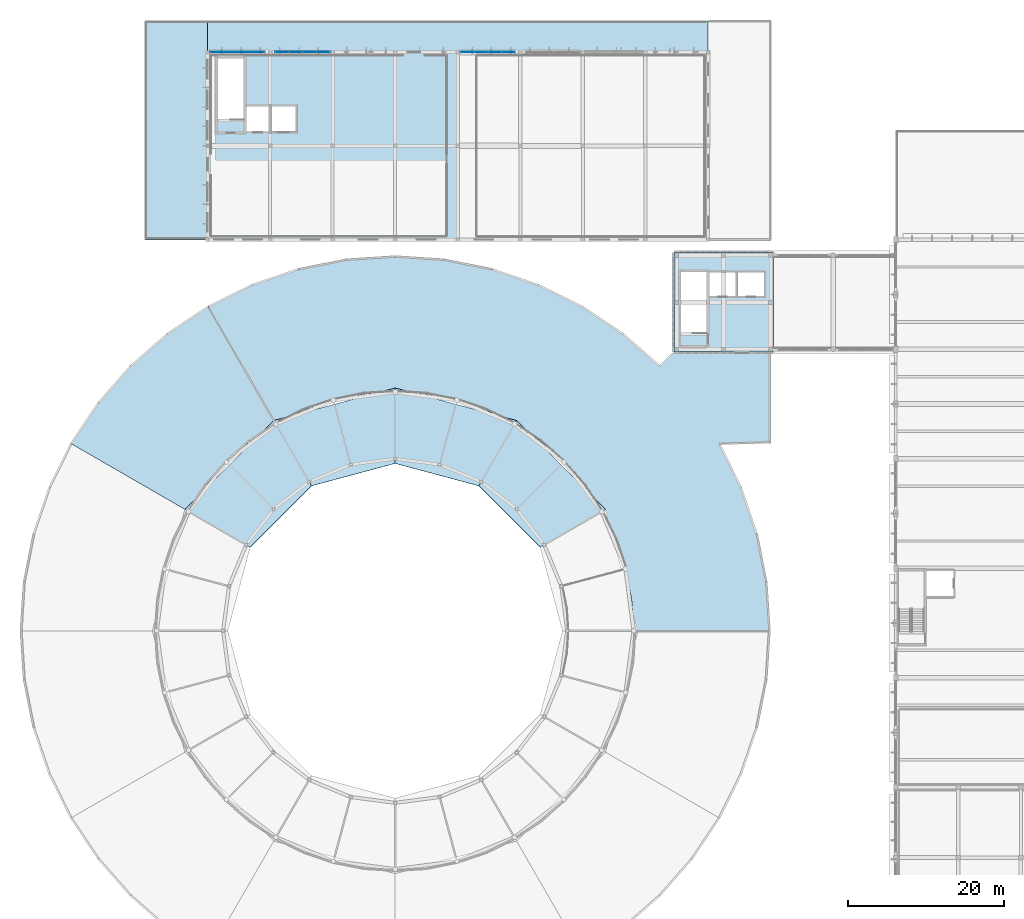
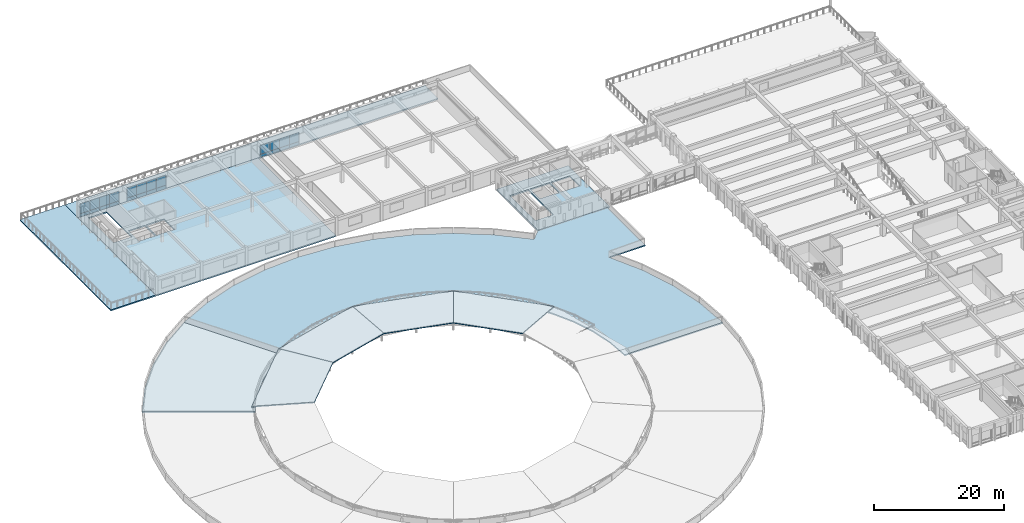
# One storey, part 47 of 77: 24 plates, 10 slabs, 6 elements without a shape of their own.
"""IFC4 building model written with IfcOpenShell, lengths in metres."""

from ifc_helpers import new_model, si_unit, direction, frame, origin, origin_2d, place, context, subcontext, project, spatial, polyline, rectangle, outline, extrude, material, layer, layer_set, type_object, element, aggregate, save


model = new_model("IFC4")

# Units and contexts
model_context = context("Model", 3, precision=1e-05, world=origin(), true_north=direction((0.0, 1.0)))
body_context = subcontext(model_context, "Body", "Model", "MODEL_VIEW")
ifc_project = project(units=[si_unit("LENGTHUNIT", "METRE"), si_unit("AREAUNIT", "SQUARE_METRE"), si_unit("VOLUMEUNIT", "CUBIC_METRE"), si_unit("PLANEANGLEUNIT", "RADIAN"), si_unit("MASSUNIT", "GRAM", prefix="KILO")], contexts=[model_context])

# Site, building, storey
site_placement = place(None, origin())
site = spatial("IfcSite", under=ifc_project, at=site_placement, CompositionType="ELEMENT")
building_placement = place(site_placement, origin())
building = spatial("IfcBuilding", under=site, at=building_placement, Name="Larkveld Mobility Hub", CompositionType="ELEMENT")
storey_placement = place(building_placement, frame((0.0, 0.0, 12.0)))
storey = spatial("IfcBuildingStorey", under=building, at=storey_placement, Name="L03", CompositionType="ELEMENT", Elevation=12.0)

# Curtain wall, plates
ifc_material_1 = material(Name="Anodised aluminium 6063-T6", Category="aluminium")
curtain_wall_type_1 = type_object("IfcCurtainWallType", Name="CW-SYS-04", PredefinedType="NOTDEFINED", material=ifc_material_1)
curtain_wall_1_placement = place(storey_placement, origin())
curtain_wall_1 = element("IfcCurtainWall", 1, at=curtain_wall_1_placement, inside=storey, type_object=curtain_wall_type_1, Name="Bicycle Hall North Curtain Wall L03 CW-088", PredefinedType="NOTDEFINED")
ifc_material_2 = material(Name="Low-E laminated solar-control double glazing", Category="glass")
ifc_layer_1 = layer(ifc_material_2, 0.028076171875, Name="Low-E laminated solar-control double glazing", Category="glass")
ifc_layer_set_1 = layer_set([ifc_layer_1], Name="Low-E laminated solar-control double glazing")
plate_type_1 = type_object("IfcPlateType", Name="CW-PNL-GL01", PredefinedType="CURTAIN_PANEL", material=ifc_layer_set_1)
plate_1_placement = place(storey_placement, frame((30.451904296875, 122.0, 0.614013671875), z_axis=(0.0, 0.0, 1.0), x_axis=(-1.0, 0.0, 0.0)))
plate_1 = element("IfcPlate", 2, at=plate_1_placement, type_object=plate_type_1, Name="CW04 panel 1", PredefinedType="CURTAIN_PANEL", context=body_context, shape_type="SweptSolid", body=[
    extrude(rectangle(XDim=1.716064453125, YDim=0.028076171875, at=origin_2d()), origin(), (0.0, 0.0, 1.0), 1.81396484375),
])
plate_2_placement = place(storey_placement, frame((28.716064453125, 122.0, 0.614013671875), z_axis=(0.0, 0.0, 1.0), x_axis=(-1.0, 0.0, 0.0)))
plate_2 = element("IfcPlate", 3, at=plate_2_placement, type_object=plate_type_1, Name="CW04 panel 2", PredefinedType="CURTAIN_PANEL", context=body_context, shape_type="SweptSolid", body=[
    extrude(rectangle(XDim=1.736083984375, YDim=0.028076171875, at=origin_2d()), origin(), (0.0, 0.0, 1.0), 1.81396484375),
])
plate_3_placement = place(storey_placement, frame((26.969970703125, 122.0, 0.614013671875), z_axis=(0.0, 0.0, 1.0), x_axis=(-1.0, 0.0, 0.0)))
plate_3 = element("IfcPlate", 4, at=plate_3_placement, type_object=plate_type_1, Name="CW04 panel 3", PredefinedType="CURTAIN_PANEL", context=body_context, shape_type="SweptSolid", body=[
    extrude(rectangle(XDim=1.736083984375, YDim=0.028076171875, at=origin_2d()), origin(), (0.0, 0.0, 1.0), 1.81396484375),
])
plate_4_placement = place(storey_placement, frame((25.23291015625, 122.0, 0.614013671875), z_axis=(0.0, 0.0, 1.0), x_axis=(-1.0, 0.0, 0.0)))
plate_4 = element("IfcPlate", 5, at=plate_4_placement, type_object=plate_type_1, Name="CW04 panel 4", PredefinedType="CURTAIN_PANEL", context=body_context, shape_type="SweptSolid", body=[
    extrude(rectangle(XDim=1.716064453125, YDim=0.028076171875, at=origin_2d()), origin(), (0.0, 0.0, 1.0), 1.81396484375),
])

curtain_wall_type_2 = type_object("IfcCurtainWallType", Name="CW-SYS-03", PredefinedType="NOTDEFINED", material=ifc_material_1)
curtain_wall_2_placement = place(storey_placement, origin())
curtain_wall_2 = element("IfcCurtainWall", 6, at=curtain_wall_2_placement, inside=storey, type_object=curtain_wall_type_2, Name="Bicycle Hall North Curtain Wall L03 CW-087", PredefinedType="NOTDEFINED")
ifc_material_3 = material(Name="Tinted safety double glazing", Category="glass")
ifc_layer_2 = layer(ifc_material_3, 0.035888671875, Name="Tinted safety double glazing", Category="glass")
ifc_layer_set_2 = layer_set([ifc_layer_2], Name="Tinted safety double glazing")
plate_type_2 = type_object("IfcPlateType", Name="CW-PNL-GL03", PredefinedType="CURTAIN_PANEL", material=ifc_layer_set_2)
plate_5_placement = place(storey_placement, frame((38.76708984375, 122.0, 0.64013671875), z_axis=(0.0, 0.0, 1.0), x_axis=(-1.0, 0.0, 0.0)))
plate_5 = element("IfcPlate", 7, at=plate_5_placement, type_object=plate_type_2, Name="CW03 panel 1", PredefinedType="CURTAIN_PANEL", context=body_context, shape_type="SweptSolid", body=[
    extrude(rectangle(XDim=1.716064453125, YDim=0.035888671875, at=origin_2d()), origin(), (0.0, 0.0, 1.0), 1.887939453125),
])
plate_6_placement = place(storey_placement, frame((37.031005859375, 122.0, 0.64013671875), z_axis=(0.0, 0.0, 1.0), x_axis=(-1.0, 0.0, 0.0)))
plate_6 = element("IfcPlate", 8, at=plate_6_placement, type_object=plate_type_2, Name="CW03 panel 2", PredefinedType="CURTAIN_PANEL", context=body_context, shape_type="SweptSolid", body=[
    extrude(rectangle(XDim=1.736083984375, YDim=0.035888671875, at=origin_2d()), origin(), (0.0, 0.0, 1.0), 1.887939453125),
])
plate_7_placement = place(storey_placement, frame((35.283935546875, 122.0, 0.64013671875), z_axis=(0.0, 0.0, 1.0), x_axis=(-1.0, 0.0, 0.0)))
plate_7 = element("IfcPlate", 9, at=plate_7_placement, type_object=plate_type_2, Name="CW03 panel 3", PredefinedType="CURTAIN_PANEL", context=body_context, shape_type="SweptSolid", body=[
    extrude(rectangle(XDim=1.736083984375, YDim=0.035888671875, at=origin_2d()), origin(), (0.0, 0.0, 1.0), 1.887939453125),
])
plate_8_placement = place(storey_placement, frame((33.548095703125, 122.0, 0.64013671875), z_axis=(0.0, 0.0, 1.0), x_axis=(-1.0, 0.0, 0.0)))
plate_8 = element("IfcPlate", 10, at=plate_8_placement, type_object=plate_type_2, Name="CW03 panel 4", PredefinedType="CURTAIN_PANEL", context=body_context, shape_type="SweptSolid", body=[
    extrude(rectangle(XDim=1.716064453125, YDim=0.035888671875, at=origin_2d()), origin(), (0.0, 0.0, 1.0), 1.887939453125),
])

curtain_wall_type_3 = type_object("IfcCurtainWallType", Name="CW-SYS-06", PredefinedType="NOTDEFINED", material=ifc_material_1)
curtain_wall_3_placement = place(storey_placement, origin())
curtain_wall_3 = element("IfcCurtainWall", 11, at=curtain_wall_3_placement, inside=storey, type_object=curtain_wall_type_3, Name="Bicycle Hall North Curtain Wall L03 CW-090", PredefinedType="NOTDEFINED")
plate_9_placement = place(storey_placement, frame((62.451904296875, 122.0, 0.564453125), z_axis=(0.0, 0.0, 1.0), x_axis=(-1.0, 0.0, 0.0)))
plate_9 = element("IfcPlate", 12, at=plate_9_placement, type_object=plate_type_2, Name="CW06 panel 1", PredefinedType="CURTAIN_PANEL", context=body_context, shape_type="SweptSolid", body=[
    extrude(rectangle(XDim=1.716064453125, YDim=0.035888671875, at=origin_2d()), origin(), (0.0, 0.0, 1.0), 1.6630859375),
])
plate_10_placement = place(storey_placement, frame((60.716064453125, 122.0, 0.564453125), z_axis=(0.0, 0.0, 1.0), x_axis=(-1.0, 0.0, 0.0)))
plate_10 = element("IfcPlate", 13, at=plate_10_placement, type_object=plate_type_2, Name="CW06 panel 2", PredefinedType="CURTAIN_PANEL", context=body_context, shape_type="SweptSolid", body=[
    extrude(rectangle(XDim=1.736083984375, YDim=0.035888671875, at=origin_2d()), origin(), (0.0, 0.0, 1.0), 1.6630859375),
])
plate_11_placement = place(storey_placement, frame((58.968994140625, 122.0, 0.564453125), z_axis=(0.0, 0.0, 1.0), x_axis=(-1.0, 0.0, 0.0)))
plate_11 = element("IfcPlate", 14, at=plate_11_placement, type_object=plate_type_2, Name="CW06 panel 3", PredefinedType="CURTAIN_PANEL", context=body_context, shape_type="SweptSolid", body=[
    extrude(rectangle(XDim=1.736083984375, YDim=0.035888671875, at=origin_2d()), origin(), (0.0, 0.0, 1.0), 1.6630859375),
])
plate_12_placement = place(storey_placement, frame((57.23291015625, 122.0, 0.564453125), z_axis=(0.0, 0.0, 1.0), x_axis=(-1.0, 0.0, 0.0)))
plate_12 = element("IfcPlate", 15, at=plate_12_placement, type_object=plate_type_2, Name="CW06 panel 4", PredefinedType="CURTAIN_PANEL", context=body_context, shape_type="SweptSolid", body=[
    extrude(rectangle(XDim=1.716064453125, YDim=0.035888671875, at=origin_2d()), origin(), (0.0, 0.0, 1.0), 1.6630859375),
])

# Plate
ifc_material_4 = material(Name="Insulated fluoropolymer aluminium spandrel", Category="aluminium")
ifc_layer_3 = layer(ifc_material_4, 0.06494140625, Name="Insulated fluoropolymer aluminium spandrel", Category="aluminium")
ifc_layer_set_3 = layer_set([ifc_layer_3], Name="Insulated fluoropolymer aluminium spandrel")
plate_type_3 = type_object("IfcPlateType", Name="CW-PNL-SP01", PredefinedType="CURTAIN_PANEL", material=ifc_layer_set_3)
plate_13_placement = place(storey_placement, frame((38.76708984375, 122.0, 0.00048828125), z_axis=(0.0, 0.0, 1.0), x_axis=(-1.0, 0.0, 0.0)))
plate_13 = element("IfcPlate", 16, at=plate_13_placement, type_object=plate_type_3, Name="CW03 spandrel 1", PredefinedType="CURTAIN_PANEL", context=body_context, shape_type="SweptSolid", body=[
    extrude(rectangle(XDim=1.716064453125, YDim=0.06494140625, at=origin_2d()), origin(), (0.0, 0.0, 1.0), 0.626953125),
])

plate_14_placement = place(storey_placement, frame((37.031005859375, 122.0, 0.00048828125), z_axis=(0.0, 0.0, 1.0), x_axis=(-1.0, 0.0, 0.0)))
plate_14 = element("IfcPlate", 17, at=plate_14_placement, type_object=plate_type_3, Name="CW03 spandrel 2", PredefinedType="CURTAIN_PANEL", context=body_context, shape_type="SweptSolid", body=[
    extrude(rectangle(XDim=1.736083984375, YDim=0.06494140625, at=origin_2d()), origin(), (0.0, 0.0, 1.0), 0.626953125),
])

plate_15_placement = place(storey_placement, frame((35.283935546875, 122.0, 0.00048828125), z_axis=(0.0, 0.0, 1.0), x_axis=(-1.0, 0.0, 0.0)))
plate_15 = element("IfcPlate", 18, at=plate_15_placement, type_object=plate_type_3, Name="CW03 spandrel 3", PredefinedType="CURTAIN_PANEL", context=body_context, shape_type="SweptSolid", body=[
    extrude(rectangle(XDim=1.736083984375, YDim=0.06494140625, at=origin_2d()), origin(), (0.0, 0.0, 1.0), 0.626953125),
])

plate_16_placement = place(storey_placement, frame((33.548095703125, 122.0, 0.00048828125), z_axis=(0.0, 0.0, 1.0), x_axis=(-1.0, 0.0, 0.0)))
plate_16 = element("IfcPlate", 19, at=plate_16_placement, type_object=plate_type_3, Name="CW03 spandrel 4", PredefinedType="CURTAIN_PANEL", context=body_context, shape_type="SweptSolid", body=[
    extrude(rectangle(XDim=1.716064453125, YDim=0.06494140625, at=origin_2d()), origin(), (0.0, 0.0, 1.0), 0.626953125),
])

aggregate(curtain_wall_2, [plate_13, plate_5, plate_14, plate_6, plate_15, plate_7, plate_16, plate_8])

ifc_material_5 = material(Name="Insulated terracotta-toned aluminium spandrel", Category="masonry")
ifc_layer_4 = layer(ifc_material_5, 0.080078125, Name="Insulated terracotta-toned aluminium spandrel", Category="masonry")
ifc_layer_set_4 = layer_set([ifc_layer_4], Name="Insulated terracotta-toned aluminium spandrel")
plate_type_4 = type_object("IfcPlateType", Name="CW-PNL-SP02", PredefinedType="CURTAIN_PANEL", material=ifc_layer_set_4)
plate_17_placement = place(storey_placement, frame((30.451904296875, 122.0, -0.00048828125), z_axis=(0.0, 0.0, 1.0), x_axis=(-1.0, 0.0, 0.0)))
plate_17 = element("IfcPlate", 20, at=plate_17_placement, type_object=plate_type_4, Name="CW04 spandrel 1", PredefinedType="CURTAIN_PANEL", context=body_context, shape_type="SweptSolid", body=[
    extrude(rectangle(XDim=1.716064453125, YDim=0.080078125, at=origin_2d()), origin(), (0.0, 0.0, 1.0), 0.60302734375),
])

plate_18_placement = place(storey_placement, frame((28.716064453125, 122.0, -0.00048828125), z_axis=(0.0, 0.0, 1.0), x_axis=(-1.0, 0.0, 0.0)))
plate_18 = element("IfcPlate", 21, at=plate_18_placement, type_object=plate_type_4, Name="CW04 spandrel 2", PredefinedType="CURTAIN_PANEL", context=body_context, shape_type="SweptSolid", body=[
    extrude(rectangle(XDim=1.736083984375, YDim=0.080078125, at=origin_2d()), origin(), (0.0, 0.0, 1.0), 0.60302734375),
])

plate_19_placement = place(storey_placement, frame((26.969970703125, 122.0, -0.00048828125), z_axis=(0.0, 0.0, 1.0), x_axis=(-1.0, 0.0, 0.0)))
plate_19 = element("IfcPlate", 22, at=plate_19_placement, type_object=plate_type_4, Name="CW04 spandrel 3", PredefinedType="CURTAIN_PANEL", context=body_context, shape_type="SweptSolid", body=[
    extrude(rectangle(XDim=1.736083984375, YDim=0.080078125, at=origin_2d()), origin(), (0.0, 0.0, 1.0), 0.60302734375),
])

plate_20_placement = place(storey_placement, frame((25.23291015625, 122.0, -0.00048828125), z_axis=(0.0, 0.0, 1.0), x_axis=(-1.0, 0.0, 0.0)))
plate_20 = element("IfcPlate", 23, at=plate_20_placement, type_object=plate_type_4, Name="CW04 spandrel 4", PredefinedType="CURTAIN_PANEL", context=body_context, shape_type="SweptSolid", body=[
    extrude(rectangle(XDim=1.716064453125, YDim=0.080078125, at=origin_2d()), origin(), (0.0, 0.0, 1.0), 0.60302734375),
])

aggregate(curtain_wall_1, [plate_17, plate_1, plate_18, plate_2, plate_19, plate_3, plate_20, plate_4])

plate_21_placement = place(storey_placement, frame((62.451904296875, 122.0, 0.0), z_axis=(0.0, 0.0, 1.0), x_axis=(-1.0, 0.0, 0.0)))
plate_21 = element("IfcPlate", 24, at=plate_21_placement, type_object=plate_type_4, Name="CW06 spandrel 1", PredefinedType="CURTAIN_PANEL", context=body_context, shape_type="SweptSolid", body=[
    extrude(rectangle(XDim=1.716064453125, YDim=0.080078125, at=origin_2d()), origin(), (0.0, 0.0, 1.0), 0.552001953125),
])

plate_22_placement = place(storey_placement, frame((60.716064453125, 122.0, 0.0), z_axis=(0.0, 0.0, 1.0), x_axis=(-1.0, 0.0, 0.0)))
plate_22 = element("IfcPlate", 25, at=plate_22_placement, type_object=plate_type_4, Name="CW06 spandrel 2", PredefinedType="CURTAIN_PANEL", context=body_context, shape_type="SweptSolid", body=[
    extrude(rectangle(XDim=1.736083984375, YDim=0.080078125, at=origin_2d()), origin(), (0.0, 0.0, 1.0), 0.552001953125),
])

plate_23_placement = place(storey_placement, frame((58.968994140625, 122.0, 0.0), z_axis=(0.0, 0.0, 1.0), x_axis=(-1.0, 0.0, 0.0)))
plate_23 = element("IfcPlate", 26, at=plate_23_placement, type_object=plate_type_4, Name="CW06 spandrel 3", PredefinedType="CURTAIN_PANEL", context=body_context, shape_type="SweptSolid", body=[
    extrude(rectangle(XDim=1.736083984375, YDim=0.080078125, at=origin_2d()), origin(), (0.0, 0.0, 1.0), 0.552001953125),
])

plate_24_placement = place(storey_placement, frame((57.23291015625, 122.0, 0.0), z_axis=(0.0, 0.0, 1.0), x_axis=(-1.0, 0.0, 0.0)))
plate_24 = element("IfcPlate", 27, at=plate_24_placement, type_object=plate_type_4, Name="CW06 spandrel 4", PredefinedType="CURTAIN_PANEL", context=body_context, shape_type="SweptSolid", body=[
    extrude(rectangle(XDim=1.716064453125, YDim=0.080078125, at=origin_2d()), origin(), (0.0, 0.0, 1.0), 0.552001953125),
])

aggregate(curtain_wall_3, [plate_21, plate_9, plate_22, plate_10, plate_23, plate_11, plate_24, plate_12])

# Slabs
ifc_material_6 = material(Name="Concrete C40/50", Category="concrete")
ifc_layer_5 = layer(ifc_material_6, 0.260009765625, Name="Concrete C40/50", Category="concrete")
ifc_layer_set_5 = layer_set([ifc_layer_5], Name="Concrete C40/50")
slab_type_1 = type_object("IfcSlabType", Name="SL-CON-260", PredefinedType="FLOOR", material=ifc_layer_set_5)
slab_1_placement = place(storey_placement, frame((0.0, 0.0, -0.260009765625)))
element("IfcSlab", 28, at=slab_1_placement, inside=storey, type_object=slab_type_1, Name="Pavilion Core Slab L03-091", PredefinedType="FLOOR", context=body_context, shape_type="SweptSolid", body=[
    extrude(outline(polyline([(83.6298828125, 83.6298828125), (96.3701171875, 83.6298828125), (96.3701171875, 96.3701171875), (83.6298828125, 96.3701171875), (83.6298828125, 83.6298828125)]), holes=[polyline([(84.550048828125, 86.10009765625), (84.550048828125, 93.85009765625), (87.800048828125, 93.85009765625), (87.800048828125, 86.10009765625), (84.550048828125, 86.10009765625)]), polyline([(88.159912109375, 90.800048828125), (88.159912109375, 93.85009765625), (91.56005859375, 93.85009765625), (91.56005859375, 90.800048828125), (88.159912109375, 90.800048828125)]), polyline([(91.780029296875, 90.800048828125), (91.780029296875, 93.85009765625), (95.179931640625, 93.85009765625), (95.179931640625, 90.800048828125), (91.780029296875, 90.800048828125)])]), origin(), (0.0, 0.0, 1.0), 0.260009765625),
])
ifc_layer_6 = layer(ifc_material_6, 0.22998046875, Name="Concrete C40/50", Category="concrete")
ifc_layer_set_6 = layer_set([ifc_layer_6], Name="Concrete C40/50")
slab_type_2 = type_object("IfcSlabType", Name="SL-FLR-230", PredefinedType="FLOOR", material=ifc_layer_set_6)
slab_2_placement = place(storey_placement, frame((0.0, 0.0, -0.22998046875)))
element("IfcSlab", 29, at=slab_2_placement, inside=storey, type_object=slab_type_2, Name="Bicycle Hall Floor Slab L03-106", PredefinedType="FLOOR", context=body_context, shape_type="SweptSolid", body=[
    extrude(outline(polyline([(24.0, 98.0), (56.0, 98.0), (56.0, 122.0), (24.0, 122.0), (24.0, 98.0)]), holes=[polyline([(25.35009765625, 113.39990234375), (25.35009765625, 121.14990234375), (28.60009765625, 121.14990234375), (28.60009765625, 113.39990234375), (25.35009765625, 113.39990234375)]), polyline([(28.97998046875, 111.85009765625), (28.97998046875, 115.050048828125), (31.8798828125, 115.050048828125), (31.8798828125, 111.85009765625), (28.97998046875, 111.85009765625)]), polyline([(32.10009765625, 111.85009765625), (32.10009765625, 115.050048828125), (35.300048828125, 115.050048828125), (35.300048828125, 111.85009765625), (32.10009765625, 111.85009765625)])]), origin(), (0.0, 0.0, 1.0), 0.22998046875),
])

# Roof, slab
ifc_material_7 = material(Name="Precast concrete C50/60", Category="concrete")
roof_type = type_object("IfcRoofType", Name="ROF-HIP-01", PredefinedType="HIP_ROOF", material=ifc_material_7)
roof_1_placement = place(storey_placement, origin())
roof_1 = element("IfcRoof", 30, at=roof_1_placement, inside=storey, type_object=roof_type, Name="Central Drum Clerestory Canopy Sector 1", PredefinedType="HIP_ROOF")
ifc_layer_7 = layer(ifc_material_7, 0.155029296875, Name="Precast concrete C50/60", Category="concrete")
ifc_layer_set_7 = layer_set([ifc_layer_7], Name="Precast concrete C50/60")
slab_type_3 = type_object("IfcSlabType", Name="SL-RF-CAN155", PredefinedType="ROOF", material=ifc_layer_set_7)
slab_3_placement = place(storey_placement, frame((74.889892578125, 63.52490234375, 0.949951171875), z_axis=(0.060470708845, 0.060470708845, 0.99633658306), x_axis=(-0.707106781187, 0.707106781187, 0.0)))
slab_3 = element("IfcSlab", 31, at=slab_3_placement, type_object=slab_type_3, Name="Central Drum Sloped Clerestory Canopy Slab 1.2", PredefinedType="ROOF", context=body_context, shape_type="SweptSolid", body=[
    extrude(outline(polyline([(0.0, 0.0), (16.072523325690906, 0.0), (13.575034604151409, 9.355272369872104), (2.497488721539498, 9.355272369872104), (0.0, 0.0)])), origin(), (0.0, 0.0, -1.0), 0.155029296875),
])
aggregate(roof_1, [slab_3])

# Roof, slabs
roof_2_placement = place(storey_placement, origin())
roof_2 = element("IfcRoof", 32, at=roof_2_placement, inside=storey, type_object=roof_type, Name="Central Drum Clerestory Canopy Sector 2", PredefinedType="HIP_ROOF")
slab_4_placement = place(storey_placement, frame((63.52490234375, 74.889892578125, 0.949951171875), z_axis=(0.022133973973, 0.082603101911, 0.996336697483), x_axis=(-0.965921627057, 0.258834716338, -8.69483e-07)))
slab_4 = element("IfcSlab", 33, at=slab_4_placement, type_object=slab_type_3, Name="Central Drum Sloped Clerestory Canopy Slab 2.1", PredefinedType="ROOF", context=body_context, shape_type="SweptSolid", body=[
    extrude(outline(polyline([(0.0, 0.0), (16.07263179467481, 8.881784197001252e-16), (13.574838171138142, 9.355556226719084), (2.497459454583548, 9.35528018293541), (0.0, 0.0)])), origin(), (0.0, 0.0, -1.0), 0.155029296875),
])
slab_5_placement = place(storey_placement, frame((48.0, 79.050048828125, 0.949951171875), z_axis=(-0.022133973973, 0.082603101911, 0.996336697483), x_axis=(-0.965921627057, -0.258834716338, 8.69483e-07)))
slab_5 = element("IfcSlab", 34, at=slab_5_placement, type_object=slab_type_3, Name="Central Drum Sloped Clerestory Canopy Slab 2.2", PredefinedType="ROOF", context=body_context, shape_type="SweptSolid", body=[
    extrude(outline(polyline([(0.0, 0.0), (16.07263179467481, -8.881784197001252e-16), (13.57517234009126, 9.355280182935408), (2.4977936235366682, 9.355556226719083), (0.0, 0.0)])), origin(), (0.0, 0.0, -1.0), 0.155029296875),
])
aggregate(roof_2, [slab_4, slab_5])

# Roof, slab
roof_3_placement = place(storey_placement, origin())
roof_3 = element("IfcRoof", 35, at=roof_3_placement, inside=storey, type_object=roof_type, Name="Central Drum Clerestory Canopy Sector 3", PredefinedType="HIP_ROOF")
slab_6_placement = place(storey_placement, frame((32.47509765625, 74.889892578125, 0.949951171875), z_axis=(-0.060470708845, 0.060470708845, 0.99633658306), x_axis=(-0.707106781187, -0.707106781187, 0.0)))
slab_6 = element("IfcSlab", 36, at=slab_6_placement, type_object=slab_type_3, Name="Central Drum Sloped Clerestory Canopy Slab 3.1", PredefinedType="ROOF", context=body_context, shape_type="SweptSolid", body=[
    extrude(outline(polyline([(0.0, 0.0), (16.072523325690906, 0.0), (13.575034604151409, 9.355272369872104), (2.497488721539498, 9.355272369872104), (0.0, 0.0)])), origin(), (0.0, 0.0, -1.0), 0.155029296875),
])
aggregate(roof_3, [slab_6])

# Slabs
ifc_layer_8 = layer(ifc_material_6, 0.219970703125, Name="Concrete C40/50", Category="concrete")
ifc_layer_set_8 = layer_set([ifc_layer_8], Name="Concrete C40/50")
slab_type_4 = type_object("IfcSlabType", Name="SL-RF-FLT220", PredefinedType="ROOF", material=ifc_layer_set_8)
slab_7_placement = place(storey_placement, frame((0.0, 0.0, -0.219970703125)))
element("IfcSlab", 37, at=slab_7_placement, inside=storey, type_object=slab_type_4, Name="Drum Flat Roof Slab L03-077", PredefinedType="ROOF", context=body_context, shape_type="SweptSolid", body=[
    extrude(outline(polyline([(24.0400390625, 89.5), (18.827880859375, 86.01708984375), (14.114990234375, 81.885009765625), (9.98291015625, 77.172119140625), (6.5, 71.9599609375), (21.5859375, 63.25), (23.802978515625, 66.56689453125), (26.43310546875, 69.56689453125), (29.43310546875, 72.197021484375), (32.75, 74.4140625), (24.0400390625, 89.5)])), origin(), (0.0, 0.0, 1.0), 0.219970703125),
])
ifc_layer_9 = layer(ifc_material_6, 0.22509765625, Name="Concrete C40/50", Category="concrete")
ifc_layer_set_9 = layer_set([ifc_layer_9], Name="Concrete C40/50")
slab_type_5 = type_object("IfcSlabType", Name="SL-TER-225", PredefinedType="FLOOR", material=ifc_layer_set_9)
slab_8_placement = place(storey_placement, frame((0.0, 0.0, -0.22509765625)))
element("IfcSlab", 38, at=slab_8_placement, inside=storey, type_object=slab_type_5, Name="Planted Drum Terrace Slab L03-076", PredefinedType="FLOOR", context=body_context, shape_type="SweptSolid", body=[
    extrude(outline(polyline([(89.5048828125, 71.949951171875), (95.97998046875, 71.949951171875), (95.97998046875, 83.610107421875), (83.6298828125, 83.610107421875), (81.885009765625, 81.885009765625), (77.172119140625, 86.01708984375), (71.9599609375, 89.5), (66.337890625, 92.27197265625), (60.403076171875, 94.287109375), (54.2548828125, 95.510009765625), (48.0, 95.919921875), (41.7451171875, 95.510009765625), (35.596923828125, 94.287109375), (29.662109375, 92.27197265625), (24.0400390625, 89.5), (32.75, 74.4140625), (36.327880859375, 76.177978515625), (40.10595703125, 77.4609375), (44.01904296875, 78.239013671875), (48.0, 78.5), (51.98095703125, 78.239013671875), (55.89404296875, 77.4609375), (59.672119140625, 76.177978515625), (63.25, 74.4140625), (66.56689453125, 72.197021484375), (69.56689453125, 69.56689453125), (72.197021484375, 66.56689453125), (74.4140625, 63.25), (76.177978515625, 59.672119140625), (77.4609375, 55.89404296875), (78.239013671875, 51.98095703125), (78.5, 48.0), (95.919921875, 48.0), (95.510009765625, 54.2548828125), (94.287109375, 60.403076171875), (92.27197265625, 66.337890625), (89.5048828125, 71.949951171875)])), origin(), (0.0, 0.0, 1.0), 0.22509765625),
])
slab_9_placement = place(storey_placement, frame((0.0, 0.0, -0.22509765625)))
element("IfcSlab", 39, at=slab_9_placement, inside=storey, type_object=slab_type_5, Name="Bicycle Hall Terrace Slab L03-108", PredefinedType="FLOOR", context=body_context, shape_type="SweptSolid", body=[
    extrude(outline(polyline([(16.0, 98.0), (24.0, 98.0), (24.0, 126.0), (16.0, 126.0), (16.0, 98.0)])), origin(), (0.0, 0.0, 1.0), 0.22509765625),
])
slab_10_placement = place(storey_placement, frame((0.0, 0.0, -0.22509765625)))
element("IfcSlab", 40, at=slab_10_placement, inside=storey, type_object=slab_type_5, Name="Bicycle Hall Terrace Slab L03-109", PredefinedType="FLOOR", context=body_context, shape_type="SweptSolid", body=[
    extrude(outline(polyline([(24.0, 122.0), (88.0, 122.0), (88.0, 126.0), (24.0, 126.0), (24.0, 122.0)])), origin(), (0.0, 0.0, 1.0), 0.22509765625),
])

save(model, "model.ifc")
